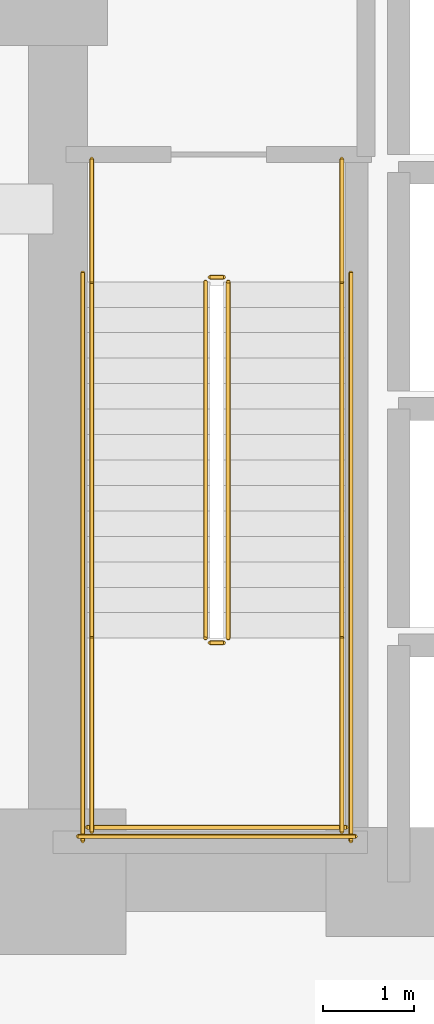
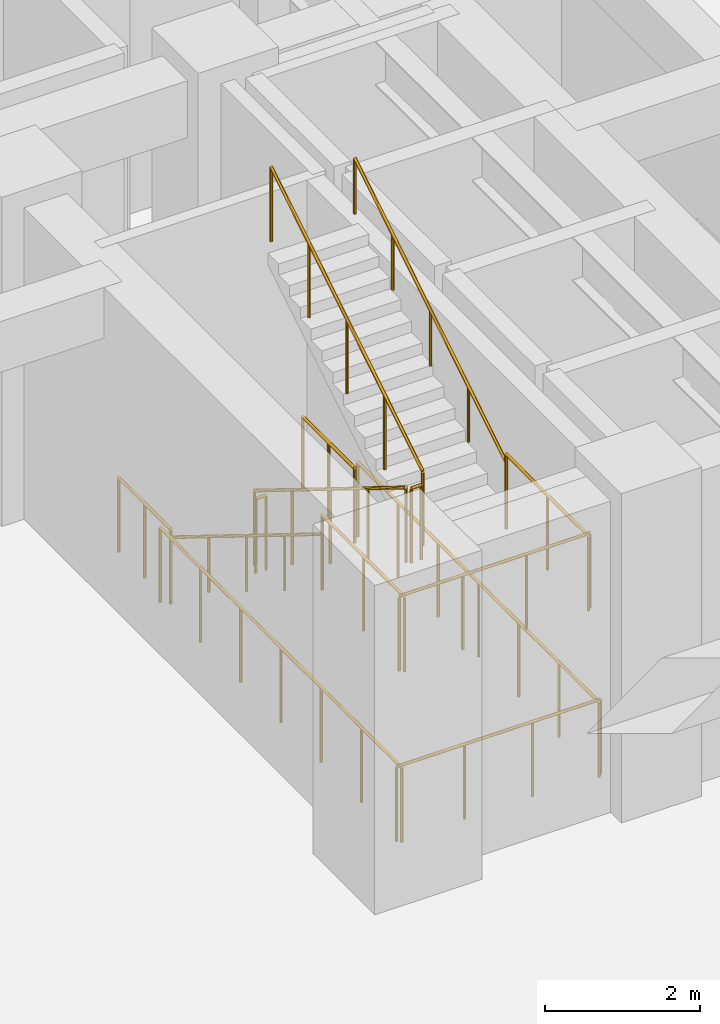
# One storey, part 6 of 7: 14 railings.
"""IFC4 building model written with IfcOpenShell, lengths in metres."""

from ifc_helpers import new_model, si_unit, direction, frame, origin, origin_2d, place, context, subcontext, project, spatial, circle, extrude, material, type_object, element, save


model = new_model("IFC4")

# Units and contexts
model_context = context("Model", 3, precision=1e-05, world=origin(), true_north=direction((0.0, 1.0)))
body_context = subcontext(model_context, "Body", "Model", "MODEL_VIEW")
ifc_project = project(units=[si_unit("LENGTHUNIT", "METRE"), si_unit("AREAUNIT", "SQUARE_METRE"), si_unit("VOLUMEUNIT", "CUBIC_METRE"), si_unit("PLANEANGLEUNIT", "RADIAN"), si_unit("MASSUNIT", "GRAM", prefix="KILO")], contexts=[model_context])

# Site, building, storey
site_placement = place(None, origin())
site = spatial("IfcSite", under=ifc_project, at=site_placement, CompositionType="ELEMENT")
building_placement = place(site_placement, origin())
building = spatial("IfcBuilding", under=site, at=building_placement, Name="Voryun Gate Residences", CompositionType="ELEMENT")
storey_placement = place(building_placement, frame((0.0, 0.0, -5.199951171875)))
storey = spatial("IfcBuildingStorey", under=building, at=storey_placement, Name="B01", CompositionType="ELEMENT", Elevation=-5.199951171875)

# Railings
ifc_material_1 = material(Name="Painted steel", Category="steel")
railing_type_1 = type_object("IfcRailingType", Name="RAIL_STAIR_GUARD_1200", PredefinedType="GUARDRAIL", material=ifc_material_1)
railing_1_placement = place(storey_placement, frame((-17.52490234375, -0.800048828125, 0.17333984375)))
element("IfcRailing", 1, at=railing_1_placement, inside=storey, type_object=railing_type_1, Name="B01 ST-W1 stair guard 1", PredefinedType="GUARDRAIL", context=body_context, shape_type="SweptSolid", body=[
    extrude(circle(Radius=0.02392578125, at=origin_2d()), frame((0.0, 0.0, 1.17578125), z_axis=(0.0, -0.850275303828, 0.526338206574), x_axis=(1.0, 0.0, 0.0)), (0.0, 0.0, 1.0), 4.610107421875),
    extrude(circle(Radius=0.02099609375, at=origin_2d()), origin(), (0.0, 0.0, 1.0), 1.15185546875),
    extrude(circle(Radius=0.02099609375, at=origin_2d()), frame((0.0, -0.97998046875, 0.606689453125)), (0.0, 0.0, 1.0), 1.15185546875),
    extrude(circle(Radius=0.02099609375, at=origin_2d()), frame((0.0, -1.9599609375, 1.21337890625)), (0.0, 0.0, 1.0), 1.15185546875),
    extrude(circle(Radius=0.02099609375, at=origin_2d()), frame((0.0, -2.93994140625, 1.81982421875)), (0.0, 0.0, 1.0), 1.15185546875),
    extrude(circle(Radius=0.02099609375, at=origin_2d()), frame((0.0, -3.919921875, 2.426513671875)), (0.0, 0.0, 1.0), 1.15185546875),
])
railing_2_placement = place(storey_placement, frame((-17.47509765625, -4.77001953125, 2.599853515625)))
element("IfcRailing", 2, at=railing_2_placement, inside=storey, type_object=railing_type_1, Name="B01 ST-W1 stair guard 2", PredefinedType="GUARDRAIL", context=body_context, shape_type="SweptSolid", body=[
    extrude(circle(Radius=0.02392578125, at=origin_2d()), frame((0.0, 0.0, 1.17578125), z_axis=(1.0, 0.0, 0.0), x_axis=(0.0, 1.0, 0.0)), (0.0, 0.0, 1.0), 0.150146484375),
    extrude(circle(Radius=0.02099609375, at=origin_2d()), origin(), (0.0, 0.0, 1.0), 1.15185546875),
    extrude(circle(Radius=0.02099609375, at=origin_2d()), frame((0.150146484375, 0.0, 0.0)), (0.0, 0.0, 1.0), 1.15185546875),
])
for number, where, name in (
    (3, (-18.77490234375, -4.719970703125, 2.599853515625), "B01 ST-W1 stair guard 3"),
    (4, (-16.02490234375, -4.719970703125, 2.599853515625), "B01 ST-W1 stair guard 4"),
):
    element("IfcRailing", number, at=place(storey_placement, frame(where)), inside=storey, type_object=railing_type_1, Name=name, PredefinedType="GUARDRAIL", context=body_context, shape_type="SweptSolid", body=[
        extrude(circle(Radius=0.02392578125, at=origin_2d()), frame((0.0, 0.0, 1.17578125), z_axis=(0.0, -1.0, 0.0), x_axis=(1.0, 0.0, 0.0)), (0.0, 0.0, 1.0), 2.130126953125),
        extrude(circle(Radius=0.02099609375, at=origin_2d()), origin(), (0.0, 0.0, 1.0), 1.15185546875),
        extrude(circle(Radius=0.02099609375, at=origin_2d()), frame((0.0, -1.06494140625, 0.0)), (0.0, 0.0, 1.0), 1.15185546875),
        extrude(circle(Radius=0.02099609375, at=origin_2d()), frame((0.0, -2.130126953125, 0.0)), (0.0, 0.0, 1.0), 1.15185546875),
    ])
railing_3_placement = place(storey_placement, frame((-18.824951171875, -6.800048828125, 2.599853515625)))
element("IfcRailing", 5, at=railing_3_placement, inside=storey, type_object=railing_type_1, Name="B01 ST-W1 stair guard 5", PredefinedType="GUARDRAIL", context=body_context, shape_type="SweptSolid", body=[
    extrude(circle(Radius=0.02392578125, at=origin_2d()), frame((0.0, 0.0, 1.17578125), z_axis=(1.0, 0.0, 0.0), x_axis=(0.0, 1.0, 0.0)), (0.0, 0.0, 1.0), 2.849853515625),
    extrude(circle(Radius=0.02099609375, at=origin_2d()), origin(), (0.0, 0.0, 1.0), 1.15185546875),
    extrude(circle(Radius=0.02099609375, at=origin_2d()), frame((0.949951171875, 0.0, 0.0)), (0.0, 0.0, 1.0), 1.15185546875),
    extrude(circle(Radius=0.02099609375, at=origin_2d()), frame((1.89990234375, 0.0, 0.0)), (0.0, 0.0, 1.0), 1.15185546875),
    extrude(circle(Radius=0.02099609375, at=origin_2d()), frame((2.849853515625, 0.0, 0.0)), (0.0, 0.0, 1.0), 1.15185546875),
])
railing_4_placement = place(storey_placement, frame((-17.27490234375, -4.719970703125, 2.773193359375)))
element("IfcRailing", 6, at=railing_4_placement, inside=storey, type_object=railing_type_1, Name="B01 ST-W1 stair guard 6", PredefinedType="GUARDRAIL", context=body_context, shape_type="SweptSolid", body=[
    extrude(circle(Radius=0.02392578125, at=origin_2d()), frame((0.0, 0.0, 1.17578125), z_axis=(0.0, 0.850251603719, 0.526376491091), x_axis=(-1.0, 0.0, 0.0)), (0.0, 0.0, 1.0), 4.6103515625),
    extrude(circle(Radius=0.02099609375, at=origin_2d()), origin(), (0.0, 0.0, 1.0), 1.15185546875),
    extrude(circle(Radius=0.02099609375, at=origin_2d()), frame((0.0, 0.97998046875, 0.606689453125)), (0.0, 0.0, 1.0), 1.15185546875),
    extrude(circle(Radius=0.02099609375, at=origin_2d()), frame((0.0, 1.9599609375, 1.21337890625)), (0.0, 0.0, 1.0), 1.15185546875),
    extrude(circle(Radius=0.02099609375, at=origin_2d()), frame((0.0, 2.93994140625, 1.820068359375)), (0.0, 0.0, 1.0), 1.15185546875),
    extrude(circle(Radius=0.02099609375, at=origin_2d()), frame((0.0, 3.919921875, 2.4267578125)), (0.0, 0.0, 1.0), 1.15185546875),
])
railing_5_placement = place(storey_placement, frame((-17.47509765625, -0.75, 0.0)))
element("IfcRailing", 7, at=railing_5_placement, inside=storey, type_object=railing_type_1, Name="B01 ST-W1 stair guard 7", PredefinedType="GUARDRAIL", context=body_context, shape_type="SweptSolid", body=[
    extrude(circle(Radius=0.02392578125, at=origin_2d()), frame((0.0, 0.0, 1.17578125), z_axis=(1.0, 0.0, 0.0), x_axis=(0.0, 1.0, 0.0)), (0.0, 0.0, 1.0), 0.150146484375),
    extrude(circle(Radius=0.02099609375, at=origin_2d()), origin(), (0.0, 0.0, 1.0), 1.15185546875),
    extrude(circle(Radius=0.02099609375, at=origin_2d()), frame((0.150146484375, 0.0, 0.0)), (0.0, 0.0, 1.0), 1.15185546875),
])
for number, where, name in (
    (8, (-18.77490234375, 0.550048828125, 0.0), "B01 ST-W1 stair guard 8"),
    (9, (-16.02490234375, 0.550048828125, 0.0), "B01 ST-W1 stair guard 9"),
):
    element("IfcRailing", number, at=place(storey_placement, frame(where)), inside=storey, type_object=railing_type_1, Name=name, PredefinedType="GUARDRAIL", context=body_context, shape_type="SweptSolid", body=[
        extrude(circle(Radius=0.02392578125, at=origin_2d()), frame((0.0, 0.0, 1.17578125), z_axis=(0.0, -1.0, 0.0), x_axis=(1.0, 0.0, 0.0)), (0.0, 0.0, 1.0), 1.35009765625),
        extrude(circle(Radius=0.02099609375, at=origin_2d()), origin(), (0.0, 0.0, 1.0), 1.15185546875),
        extrude(circle(Radius=0.02099609375, at=origin_2d()), frame((0.0, -0.675048828125, 0.0)), (0.0, 0.0, 1.0), 1.15185546875),
        extrude(circle(Radius=0.02099609375, at=origin_2d()), frame((0.0, -1.35009765625, 0.0)), (0.0, 0.0, 1.0), 1.15185546875),
    ])
for number, where, name in (
    (10, (-18.875, -0.699951171875, 0.0), "B01 ST-W1 stair guard 10"),
    (11, (-15.925048828125, -0.699951171875, 0.0), "B01 ST-W1 stair guard 11"),
):
    element("IfcRailing", number, at=place(storey_placement, frame(where)), inside=storey, type_object=railing_type_1, Name=name, PredefinedType="GUARDRAIL", context=body_context, shape_type="SweptSolid", body=[
        extrude(circle(Radius=0.02392578125, at=origin_2d()), frame((0.0, 0.0, 1.17578125), z_axis=(0.0, -1.0, 0.0), x_axis=(1.0, 0.0, 0.0)), (0.0, 0.0, 1.0), 6.25),
        extrude(circle(Radius=0.02099609375, at=origin_2d()), origin(), (0.0, 0.0, 1.0), 1.15185546875),
        extrude(circle(Radius=0.02099609375, at=origin_2d()), frame((0.0, -1.041748046875, 0.0)), (0.0, 0.0, 1.0), 1.15185546875),
        extrude(circle(Radius=0.02099609375, at=origin_2d()), frame((0.0, -2.083251953125, 0.0)), (0.0, 0.0, 1.0), 1.15185546875),
        extrude(circle(Radius=0.02099609375, at=origin_2d()), frame((0.0, -3.125, 0.0)), (0.0, 0.0, 1.0), 1.15185546875),
        extrude(circle(Radius=0.02099609375, at=origin_2d()), frame((0.0, -4.166748046875, 0.0)), (0.0, 0.0, 1.0), 1.15185546875),
        extrude(circle(Radius=0.02099609375, at=origin_2d()), frame((0.0, -5.208251953125, 0.0)), (0.0, 0.0, 1.0), 1.15185546875),
        extrude(circle(Radius=0.02099609375, at=origin_2d()), frame((0.0, -6.25, 0.0)), (0.0, 0.0, 1.0), 1.15185546875),
    ])
railing_6_placement = place(storey_placement, frame((-18.925048828125, -6.89990234375, 0.0)))
element("IfcRailing", 12, at=railing_6_placement, inside=storey, type_object=railing_type_1, Name="B01 ST-W1 stair guard 12", PredefinedType="GUARDRAIL", context=body_context, shape_type="SweptSolid", body=[
    extrude(circle(Radius=0.02392578125, at=origin_2d()), frame((0.0, 0.0, 1.17578125), z_axis=(1.0, 0.0, 0.0), x_axis=(0.0, 1.0, 0.0)), (0.0, 0.0, 1.0), 3.050048828125),
    extrude(circle(Radius=0.02099609375, at=origin_2d()), origin(), (0.0, 0.0, 1.0), 1.15185546875),
    extrude(circle(Radius=0.02099609375, at=origin_2d()), frame((1.0166015625, 0.0, 0.0)), (0.0, 0.0, 1.0), 1.15185546875),
    extrude(circle(Radius=0.02099609375, at=origin_2d()), frame((2.033447265625, 0.0, 0.0)), (0.0, 0.0, 1.0), 1.15185546875),
    extrude(circle(Radius=0.02099609375, at=origin_2d()), frame((3.050048828125, 0.0, 0.0)), (0.0, 0.0, 1.0), 1.15185546875),
])
ifc_material_2 = material(Name="Painted steel", Category="steel")
railing_type_2 = type_object("IfcRailingType", Name="RAIL_STAIR_HANDRAIL_900", PredefinedType="HANDRAIL", material=ifc_material_2)
railing_7_placement = place(storey_placement, frame((-18.77490234375, -0.800048828125, 0.17333984375)))
element("IfcRailing", 13, at=railing_7_placement, inside=storey, type_object=railing_type_2, Name="B01 ST-W1 stair handrail 1", PredefinedType="HANDRAIL", context=body_context, shape_type="SweptSolid", body=[
    extrude(circle(Radius=0.02392578125, at=origin_2d()), frame((0.0, 0.0, 0.8759765625), z_axis=(0.0, -0.850275303828, 0.526338206574), x_axis=(1.0, 0.0, 0.0)), (0.0, 0.0, 1.0), 4.610107421875),
    extrude(circle(Radius=0.02099609375, at=origin_2d()), origin(), (0.0, 0.0, 1.0), 0.851806640625),
    extrude(circle(Radius=0.02099609375, at=origin_2d()), frame((0.0, -0.97998046875, 0.606689453125)), (0.0, 0.0, 1.0), 0.851806640625),
    extrude(circle(Radius=0.02099609375, at=origin_2d()), frame((0.0, -1.9599609375, 1.21337890625)), (0.0, 0.0, 1.0), 0.851806640625),
    extrude(circle(Radius=0.02099609375, at=origin_2d()), frame((0.0, -2.93994140625, 1.81982421875)), (0.0, 0.0, 1.0), 0.851806640625),
    extrude(circle(Radius=0.02099609375, at=origin_2d()), frame((0.0, -3.919921875, 2.426513671875)), (0.0, 0.0, 1.0), 0.851806640625),
])
railing_8_placement = place(storey_placement, frame((-16.02490234375, -4.719970703125, 2.773193359375)))
element("IfcRailing", 14, at=railing_8_placement, inside=storey, type_object=railing_type_2, Name="B01 ST-W1 stair handrail 2", PredefinedType="HANDRAIL", context=body_context, shape_type="SweptSolid", body=[
    extrude(circle(Radius=0.02392578125, at=origin_2d()), frame((0.0, 0.0, 0.8759765625), z_axis=(0.0, 0.850251603719, 0.526376491091), x_axis=(-1.0, 0.0, 0.0)), (0.0, 0.0, 1.0), 4.6103515625),
    extrude(circle(Radius=0.02099609375, at=origin_2d()), origin(), (0.0, 0.0, 1.0), 0.851806640625),
    extrude(circle(Radius=0.02099609375, at=origin_2d()), frame((0.0, 0.97998046875, 0.606689453125)), (0.0, 0.0, 1.0), 0.851806640625),
    extrude(circle(Radius=0.02099609375, at=origin_2d()), frame((0.0, 1.9599609375, 1.21337890625)), (0.0, 0.0, 1.0), 0.851806640625),
    extrude(circle(Radius=0.02099609375, at=origin_2d()), frame((0.0, 2.93994140625, 1.820068359375)), (0.0, 0.0, 1.0), 0.851806640625),
    extrude(circle(Radius=0.02099609375, at=origin_2d()), frame((0.0, 3.919921875, 2.4267578125)), (0.0, 0.0, 1.0), 0.851806640625),
])

save(model, "model.ifc")
